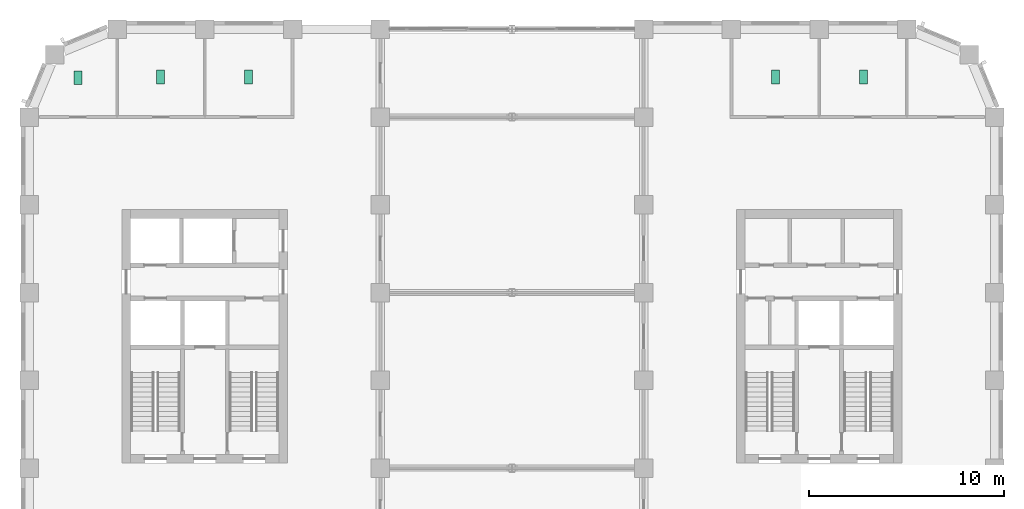
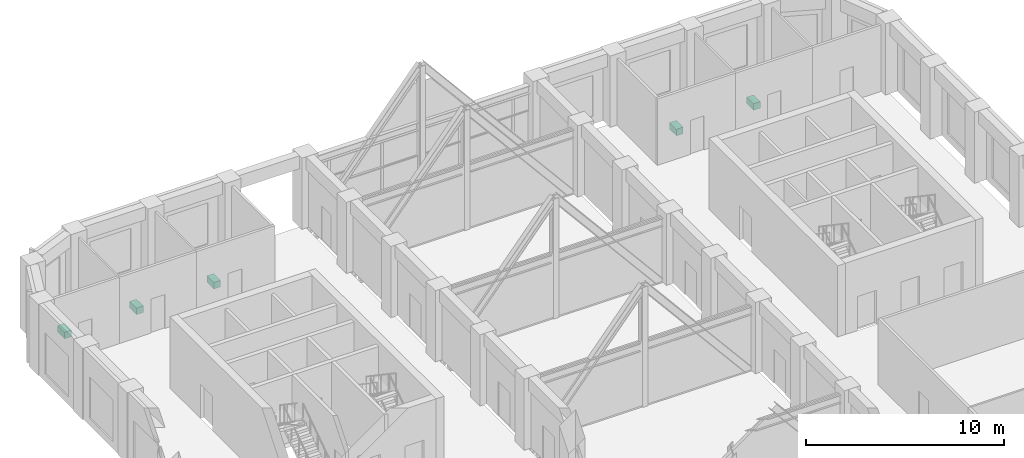
# One storey, part 15 of 15: 5 sanitary terminals.
"""IFC4 building model written with IfcOpenShell, lengths in metres."""

from ifc_helpers import new_model, si_unit, direction, frame, origin, origin_2d, place, context, subcontext, project, spatial, rectangle, extrude, material, type_object, element, save


model = new_model("IFC4")

# Units and contexts
model_context = context("Model", 3, precision=1e-05, world=origin(), true_north=direction((0.0, 1.0)))
body_context = subcontext(model_context, "Body", "Model", "MODEL_VIEW")
ifc_project = project(units=[si_unit("LENGTHUNIT", "METRE"), si_unit("AREAUNIT", "SQUARE_METRE"), si_unit("VOLUMEUNIT", "CUBIC_METRE"), si_unit("PLANEANGLEUNIT", "RADIAN"), si_unit("MASSUNIT", "GRAM", prefix="KILO")], contexts=[model_context])

# Site, building, storey
site_placement = place(None, origin())
site = spatial("IfcSite", under=ifc_project, at=site_placement, CompositionType="ELEMENT")
building_placement = place(site_placement, origin())
building = spatial("IfcBuilding", under=site, at=building_placement, Name="Girih Gate Residences", CompositionType="ELEMENT")
storey_placement = place(building_placement, frame((0.0, 0.0, 168.199951171875)))
storey = spatial("IfcBuildingStorey", under=building, at=storey_placement, Name="L46", CompositionType="ELEMENT", Elevation=168.199951171875)

# Sanitary terminals
ifc_material = material(Name="Vitreous china")
sanitary_terminal_type = type_object("IfcSanitaryTerminalType", Name="WC pan", PredefinedType="TOILETPAN", material=ifc_material)
for number, where, z_axis, x_axis, name in (
    (1, (42.77490234375, 47.050048828125, 0.0), (0.0, 0.0, 1.0), (1.0, 0.0, 0.0), "WC pan L46"),
    (2, (38.262939453125, 47.050048828125, 0.0), (0.0, 0.0, 1.0), (1.0, 0.0, 0.0), "WC pan L46"),
    (3, (2.498046875, 47.02001953125, 0.0), (0.0, 0.0, 1.0), (1.0, 0.0, 0.0), "WC pan L46"),
    (4, (6.72509765625, 47.050048828125, 0.0), (0.0, 0.0, 1.0), (1.0, 0.0, 0.0), "WC pan L46"),
    (5, (11.238037109375, 47.050048828125, 0.0), (0.0, 0.0, 1.0), (1.0, 0.0, 0.0), "WC pan L46"),
):
    element("IfcSanitaryTerminal", number, at=place(storey_placement, frame(where, z_axis=z_axis, x_axis=x_axis)), inside=storey, type_object=sanitary_terminal_type, Name=name, PredefinedType="TOILETPAN", context=body_context, shape_type="SweptSolid", body=[
        extrude(rectangle(XDim=0.39990234375, YDim=0.699951171875, at=origin_2d()), origin(), (0.0, 0.0, 1.0), 0.39990234375),
    ])

save(model, "model.ifc")
